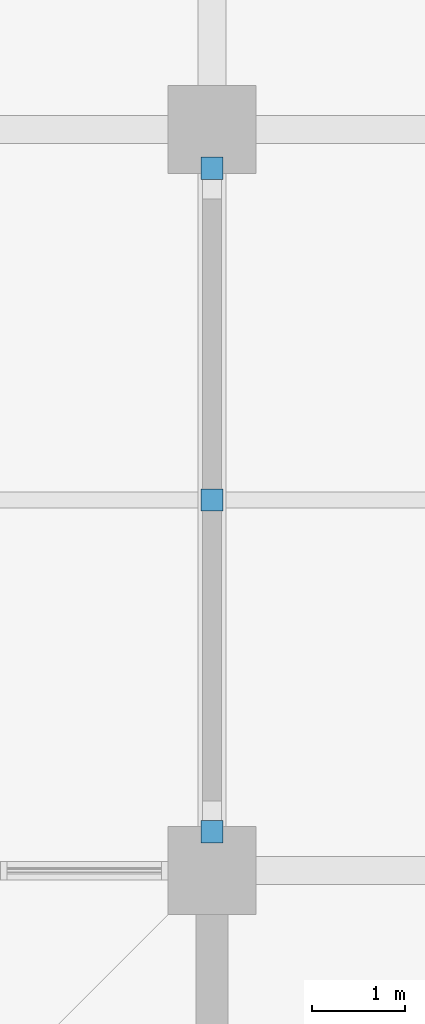
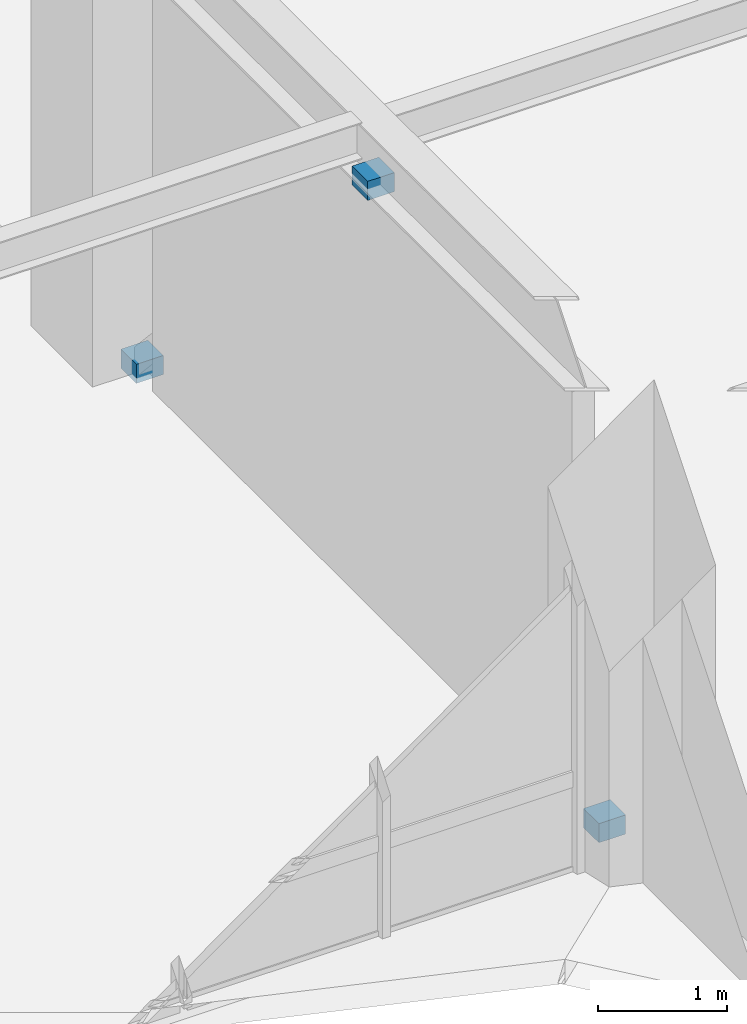
# One storey, part 85 of 109: 3 discrete accessories.
"""IFC4 building model written with IfcOpenShell, lengths in metres."""

import ifcopenshell
import ifcopenshell.guid

model = None  # the IFC model being written
_history = None  # IfcOwnerHistory: only IFC2X3 demands one
_inside = {}  # id of a spatial element -> (the spatial element, [elements in it])
_under = {}  # id of a project, library or spatial element -> (it, [spatial elements below it])
_declared = {}  # id of a project -> (the project, [libraries it declares])
_typed = {}  # id of a type object -> (the type object, [elements of that type])
_made_of = {}  # id of a material, layer set ... -> (it, [elements and type objects made of it])


def new_model(schema):
    """Start an empty IFC model of exactly this schema.

    Asked for "IFC4X3", IfcOpenShell would pick the latest addendum, in which some entities
    have other attributes; the version numbers below select the first issue.
    IFC2X3 requires an IfcOwnerHistory on every rooted entity: one is made here for all.
    """
    global model, _history
    if schema == "IFC4X3":
        model = ifcopenshell.file(schema_version=(4, 3, 0, 0))
    else:
        model = ifcopenshell.file(schema=schema)
    _inside.clear()
    _under.clear()
    _declared.clear()
    _typed.clear()
    _made_of.clear()
    _history = None
    if model.schema == "IFC2X3":
        org = make("IfcOrganization", Name="unknown")
        user = make(
            "IfcPersonAndOrganization",
            ThePerson=make("IfcPerson", FamilyName="unknown"),
            TheOrganization=org,
        )
        app = make(
            "IfcApplication",
            ApplicationDeveloper=org,
            Version="unknown",
            ApplicationFullName="unknown",
            ApplicationIdentifier="unknown",
        )
        _history = make(
            "IfcOwnerHistory",
            OwningUser=user,
            OwningApplication=app,
            ChangeAction="ADDED",
            CreationDate=0,
        )
    return model


def make(cls, **values):
    """One entity of the class cls with the attributes given. An attribute that is None is left unset."""
    return model.create_entity(
        cls, **{name: value for name, value in values.items() if value is not None}
    )


def rooted(cls, **values):
    """An entity with a GlobalId (a new one), such as an element, a storey or a relation."""
    return make(cls, GlobalId=ifcopenshell.guid.new(), OwnerHistory=_history, **values)


def si_unit(unit_type, name, prefix=None):
    """IfcSIUnit, for example si_unit("LENGTHUNIT", "METRE", prefix="MILLI")."""
    return make("IfcSIUnit", UnitType=unit_type, Prefix=prefix, Name=name)


def assignment(units):
    """IfcUnitAssignment: the units of a project."""
    return None if units is None else make("IfcUnitAssignment", Units=units)


def point(xyz):
    """IfcCartesianPoint."""
    return None if xyz is None else make("IfcCartesianPoint", Coordinates=xyz)


def direction(xyz):
    """IfcDirection."""
    return None if xyz is None else make("IfcDirection", DirectionRatios=xyz)


def frame(location, z_axis=None, x_axis=None):
    """IfcAxis2Placement3D, a coordinate frame: its origin and axes. An axis left out is left unset."""
    return make(
        "IfcAxis2Placement3D",
        Location=point(location),
        Axis=direction(z_axis),
        RefDirection=direction(x_axis),
    )


def frame_2d(location, x_axis=None):
    """IfcAxis2Placement2D, a coordinate frame in the plane: its origin and x axis."""
    return make(
        "IfcAxis2Placement2D", Location=point(location), RefDirection=direction(x_axis)
    )


def origin():
    """The frame at (0, 0, 0) with its axes left unset."""
    return frame((0.0, 0.0, 0.0))


def origin_2d():
    """The frame at (0, 0) in the plane with its x axis left unset."""
    return frame_2d((0.0, 0.0))


def place(relative_to, where):
    """IfcLocalPlacement: puts the frame where relative to a parent placement (None: the world)."""
    return make(
        "IfcLocalPlacement", PlacementRelTo=relative_to, RelativePlacement=where
    )


def context(
    kind, dimensions, precision=None, world=None, true_north=None, identifier=None
):
    """IfcGeometricRepresentationContext, for example the 3D "Model" context."""
    return make(
        "IfcGeometricRepresentationContext",
        ContextIdentifier=identifier,
        ContextType=kind,
        CoordinateSpaceDimension=dimensions,
        Precision=precision,
        WorldCoordinateSystem=world,
        TrueNorth=true_north,
    )


def subcontext(parent, identifier, kind, view, scale=None):
    """IfcGeometricRepresentationSubContext, for example "Body" below "Model"."""
    return make(
        "IfcGeometricRepresentationSubContext",
        ContextIdentifier=identifier,
        ContextType=kind,
        ParentContext=parent,
        TargetScale=scale,
        TargetView=view,
    )


def project(units=None, contexts=None):
    """IfcProject with its units and contexts."""
    return rooted(
        "IfcProject",
        Name="project",
        RepresentationContexts=contexts,
        UnitsInContext=assignment(units),
    )


def spatial(cls, under=None, at=None, **own):
    """A site, building, storey or space (cls), placed at a placement, below another one or the project."""
    s = rooted(cls, ObjectPlacement=at, **own)
    if under is not None:
        _under.setdefault(under.id(), (under, []))[1].append(s)
    return s


def profile(cls, at=None, kind="AREA", **sizes):
    """A parametric profile (cls). Its sizes go by their IFC names, for example OverallWidth=200.0."""
    return make(cls, ProfileType=kind, Position=at, **sizes)


def rectangle(**sizes):
    """IfcRectangleProfileDef."""
    return profile("IfcRectangleProfileDef", **sizes)


def extrude(swept, where, along, depth):
    """IfcExtrudedAreaSolid: the profile swept, set in the frame where, extruded along a direction by depth."""
    return make(
        "IfcExtrudedAreaSolid",
        SweptArea=swept,
        Position=where,
        ExtrudedDirection=direction(along),
        Depth=depth,
    )


def shape(context_of_items, identifier, shape_type, items):
    """IfcShapeRepresentation: the items that make up one representation, for example the "Body"."""
    return make(
        "IfcShapeRepresentation",
        ContextOfItems=context_of_items,
        RepresentationIdentifier=identifier,
        RepresentationType=shape_type,
        Items=items,
    )


def material(Name=None, Category=None):
    """IfcMaterial."""
    return make("IfcMaterial", Name=Name, Category=Category)


def layer(
    of_material, thickness, ventilated=None, Name=None, Category=None, Priority=None
):
    """IfcMaterialLayer: one layer of a wall or slab, of a material (None: an air gap)."""
    return make(
        "IfcMaterialLayer",
        Material=of_material,
        LayerThickness=thickness,
        IsVentilated=ventilated,
        Name=Name,
        Category=Category,
        Priority=Priority,
    )


def layer_set(layers, Name=None):
    """IfcMaterialLayerSet."""
    return make("IfcMaterialLayerSet", MaterialLayers=layers, LayerSetName=Name)


def made_of(thing, what):
    """Note that an element or type object is made of a material, layer set ...; save() writes the relation."""
    if what is not None:
        _made_of.setdefault(what.id(), (what, []))[1].append(thing)
    return thing


def type_object(cls, material=None, **own):
    """A type object (cls), such as IfcWallType, which elements share."""
    return made_of(rooted(cls, **own), material)


def element(
    cls,
    number,
    at=None,
    inside=None,
    cuts=None,
    type_object=None,
    material=None,
    context=None,
    identifier="Body",
    shape_type=None,
    held_by="IfcProductDefinitionShape",
    body=None,
    shapes=None,
    **own,
):
    """One element of the class cls, such as IfcWall. Its Tag is "e" and its number.

    at: its placement. inside: the storey or other place that contains it. cuts: it is an
    opening in that element (IfcRelVoidsElement). A single representation is given by context,
    identifier, shape_type and body (its items); several are given by shapes. held_by: the class
    of the entity that holds the representations. save() writes the other relations.
    """
    e = rooted(cls, Tag="e%d" % number, ObjectPlacement=at, **own)
    if body is not None:
        shapes = [shape(context, identifier, shape_type, body)]
    if shapes is not None:
        e.Representation = make(held_by, Representations=shapes)
    if inside is not None:
        _inside.setdefault(inside.id(), (inside, []))[1].append(e)
    if cuts is not None:
        rooted(
            "IfcRelVoidsElement", RelatingBuildingElement=cuts, RelatedOpeningElement=e
        )
    if type_object is not None:
        _typed.setdefault(type_object.id(), (type_object, []))[1].append(e)
    return made_of(e, material)


def aggregate(whole, parts):
    """IfcRelAggregates: a whole, such as a stair, and the parts it consists of."""
    return rooted("IfcRelAggregates", RelatingObject=whole, RelatedObjects=parts)


def save(model, path):
    """Write the relations noted so far, then the file.

    IfcRelAggregates (storeys below a building ...), IfcRelContainedInSpatialStructure (elements
    in a storey), IfcRelDefinesByType, IfcRelAssociatesMaterial and IfcRelDeclares: one each for
    every whole, place, type object, material and project.
    """
    for whole, parts in _under.values():
        aggregate(whole, parts)
    for where, things in _inside.values():
        rooted(
            "IfcRelContainedInSpatialStructure",
            RelatedElements=things,
            RelatingStructure=where,
        )
    for kind, things in _typed.values():
        rooted("IfcRelDefinesByType", RelatedObjects=things, RelatingType=kind)
    for what, things in _made_of.values():
        rooted("IfcRelAssociatesMaterial", RelatedObjects=things, RelatingMaterial=what)
    for by, libraries in _declared.values():
        rooted("IfcRelDeclares", RelatingContext=by, RelatedDefinitions=libraries)
    model.write(path)


model = new_model("IFC4")

# Units and contexts
model_context = context("Model", 3, precision=1e-05, world=origin(), true_north=direction((0.0, 1.0)))
body_context = subcontext(model_context, "Body", "Model", "MODEL_VIEW")
ifc_project = project(units=[si_unit("LENGTHUNIT", "METRE"), si_unit("AREAUNIT", "SQUARE_METRE"), si_unit("VOLUMEUNIT", "CUBIC_METRE"), si_unit("PLANEANGLEUNIT", "RADIAN"), si_unit("MASSUNIT", "GRAM", prefix="KILO")], contexts=[model_context])

# Site, building, storey
site_placement = place(None, origin())
site = spatial("IfcSite", under=ifc_project, at=site_placement, CompositionType="ELEMENT")
building_placement = place(site_placement, origin())
building = spatial("IfcBuilding", under=site, at=building_placement, Name="Haebicheon Civic Stadium", CompositionType="ELEMENT")
storey_placement = place(building_placement, frame((0.0, 0.0, 9.60009765625)))
storey = spatial("IfcBuildingStorey", under=building, at=storey_placement, Name="L03", CompositionType="ELEMENT", Elevation=9.60009765625)

# Discrete accessories
ifc_material = material(Name="White painted steel SM490", Category="steel")
ifc_layer = layer(ifc_material, 0.179931640625, Name="White painted steel SM490")
ifc_layer_set = layer_set([ifc_layer], Name="White painted steel SM490")
discrete_accessory_type = type_object("IfcDiscreteAccessoryType", Name="BRK-END-PLT", PredefinedType="BRACKET", material=ifc_layer_set)
for number, where, z_axis, x_axis, name in (
    (1, (24.0, 48.419921875, -0.05029296875), (0.0, 0.0, 1.0), (1.0, 0.0, 0.0), "Brace L03-03-06 bolted end connection plate"),
    (2, (24.0, 55.580078125, -0.05029296875), (0.0, 0.0, 1.0), (1.0, 0.0, 0.0), "Brace L03-03-06 bolted end connection plate"),
    (3, (24.0, 52.0, 3.85009765625), (0.0, 0.0, 1.0), (1.0, 0.0, 0.0), "Brace L03-03-06 bolted end connection plate"),
):
    element("IfcDiscreteAccessory", number, at=place(storey_placement, frame(where, z_axis=z_axis, x_axis=x_axis)), inside=storey, type_object=discrete_accessory_type, material=ifc_layer_set, Name=name, PredefinedType="BRACKET", context=body_context, shape_type="SweptSolid", body=[
        extrude(rectangle(XDim=0.239990234375, YDim=0.239990234375, at=origin_2d()), origin(), (0.0, 0.0, 1.0), 0.179931640625),
    ])

save(model, "model.ifc")
